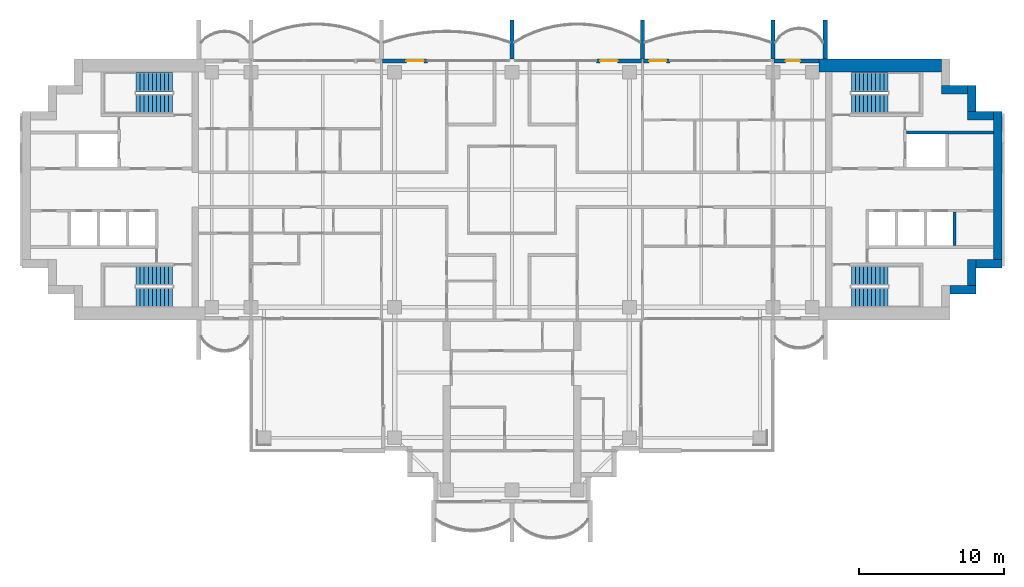
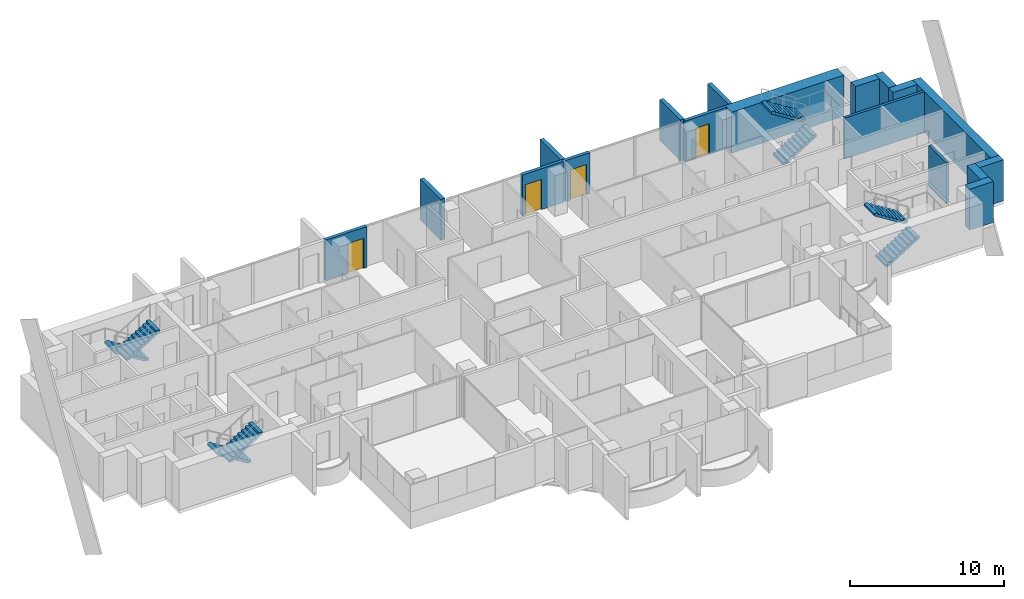
# One storey, part 13 of 17: 18 walls, 8 stair flights, 4 doors, 4 openings, 4 elements without a shape of their own.
"""IFC4 building model written with IfcOpenShell, lengths in metres."""

from ifc_helpers import new_model, si_unit, direction, frame, frame_2d, origin, place, context, subcontext, project, spatial, polyline, rectangle, outline, extrude, material, layer, layer_set, type_object, element, fill, aggregate, save


model = new_model("IFC4")

# Units and contexts
model_context = context("Model", 3, precision=1e-05, world=origin(), true_north=direction((0.0, 1.0)))
body_context = subcontext(model_context, "Body", "Model", "MODEL_VIEW")
ifc_project = project(units=[si_unit("LENGTHUNIT", "METRE"), si_unit("AREAUNIT", "SQUARE_METRE"), si_unit("VOLUMEUNIT", "CUBIC_METRE"), si_unit("PLANEANGLEUNIT", "RADIAN"), si_unit("MASSUNIT", "GRAM", prefix="KILO")], contexts=[model_context])

# Site, building, storey
site_placement = place(None, origin())
site = spatial("IfcSite", under=ifc_project, at=site_placement, CompositionType="ELEMENT")
building_placement = place(site_placement, origin())
building = spatial("IfcBuilding", under=site, at=building_placement, Name="Perihelion Cross Residences", CompositionType="ELEMENT")
storey_placement = place(building_placement, frame((0.0, 0.0, 205.10009765625)))
storey = spatial("IfcBuildingStorey", under=building, at=storey_placement, Name="L51", CompositionType="ELEMENT", Elevation=205.10009765625)

# Wall, opening, door
ifc_material_1 = material(Name="Concrete C30/37, bronze-clad", Category="concrete")
ifc_layer_1 = layer(ifc_material_1, 0.25)
ifc_layer_set_1 = layer_set([ifc_layer_1], Name="Bronze-clad pier wall 250")
wall_type_1 = type_object("IfcWallType", Name="Bronze-clad pier wall 250", PredefinedType="SOLIDWALL", material=ifc_layer_set_1)
wall_1_placement = place(storey_placement, frame((21.175048828125, 8.875, 0.0), z_axis=(0.0, 0.0, 1.0), x_axis=(-1.0, 0.0, 0.0)))
wall_1 = element("IfcWall", 1, at=wall_1_placement, inside=storey, type_object=wall_type_1, Name="Wall FW1 L51 east side north bay 1 pier", PredefinedType="SOLIDWALL", context=body_context, shape_type="SweptSolid", body=[
    extrude(rectangle(XDim=3.114990234375, YDim=0.25, at=frame_2d((1.5576171875, 0.0))), origin(), (0.0, 0.0, 1.0), 3.25),
])
opening_1_placement = place(wall_1_placement, frame((1.300048828125, 0.0, 0.0)))
opening_1 = element("IfcOpeningElement", 2, at=opening_1_placement, cuts=wall_1, Name="Opening L51.E01", PredefinedType="OPENING", context=body_context, shape_type="SweptSolid", body=[
    extrude(rectangle(XDim=1.0, YDim=2.39990234375, at=frame_2d((0.5, 1.199951171875))), frame((0.0, 0.135009765625, 0.0), z_axis=(0.0, -1.0, 0.0), x_axis=(1.0, 0.0, 0.0)), (0.0, 0.0, 1.0), 0.27001953125),
])
ifc_material_2 = material(Name="Bronze anodised aluminium, glazed", Category="aluminium")
door_type_1 = type_object("IfcDoorType", Name="Balcony door 1000 x 2400", OperationType="NOTDEFINED", PredefinedType="DOOR", material=ifc_material_2)
door_1_placement = place(opening_1_placement, origin())
door_1 = element("IfcDoor", 3, at=door_1_placement, inside=storey, type_object=door_type_1, Name="Door L51.E01 east side north bay 1", OperationType="SINGLE_SWING_LEFT", OverallHeight=2.39990234375, OverallWidth=1.0, PredefinedType="DOOR", context=body_context, shape_type="SweptSolid", body=[
    extrude(rectangle(XDim=1.0, YDim=2.39990234375, at=frame_2d((0.5, 1.199951171875))), frame((0.0, 0.02490234375, 0.0), z_axis=(0.0, -1.0, 0.0), x_axis=(1.0, 0.0, 0.0)), (0.0, 0.0, 1.0), 0.050048828125),
])
fill(opening_1, door_1)

wall_2_placement = place(storey_placement, frame((10.89990234375, 8.875, 0.0), z_axis=(0.0, 0.0, 1.0), x_axis=(-1.0, 0.0, 0.0)))
wall_2 = element("IfcWall", 4, at=wall_2_placement, inside=storey, type_object=wall_type_1, Name="Wall FW1 L51 east side north bay 2 pier", PredefinedType="SOLIDWALL", context=body_context, shape_type="SweptSolid", body=[
    extrude(rectangle(XDim=1.83984375, YDim=0.25, at=frame_2d((0.919921875, 0.0))), origin(), (0.0, 0.0, 1.0), 3.25),
])
opening_2_placement = place(wall_2_placement, frame((0.25, 0.0, 0.0)))
opening_2 = element("IfcOpeningElement", 5, at=opening_2_placement, cuts=wall_2, Name="Opening L51.E02", PredefinedType="OPENING", context=body_context, shape_type="SweptSolid", body=[
    extrude(rectangle(XDim=1.199951171875, YDim=2.39990234375, at=frame_2d((0.60009765625, 1.199951171875))), frame((0.0, 0.135009765625, 0.0), z_axis=(0.0, -1.0, 0.0), x_axis=(1.0, 0.0, 0.0)), (0.0, 0.0, 1.0), 0.27001953125),
])
ifc_material_3 = material(Name="Bronze anodised aluminium, glazed", Category="aluminium")
door_type_2 = type_object("IfcDoorType", Name="Balcony door 1200 x 2400", OperationType="NOTDEFINED", PredefinedType="DOOR", material=ifc_material_3)
door_2_placement = place(opening_2_placement, origin())
door_2 = element("IfcDoor", 6, at=door_2_placement, inside=storey, type_object=door_type_2, Name="Door L51.E02 east side north bay 2", OperationType="SINGLE_SWING_RIGHT", OverallHeight=2.39990234375, OverallWidth=1.199951171875, PredefinedType="DOOR", context=body_context, shape_type="SweptSolid", body=[
    extrude(rectangle(XDim=1.199951171875, YDim=2.39990234375, at=frame_2d((0.60009765625, 1.199951171875))), frame((0.0, 0.02490234375, 0.0), z_axis=(0.0, -1.0, 0.0), x_axis=(1.0, 0.0, 0.0)), (0.0, 0.0, 1.0), 0.050048828125),
])
fill(opening_2, door_2)

wall_3_placement = place(storey_placement, frame((8.93994140625, 8.875, 0.0), z_axis=(0.0, 0.0, 1.0), x_axis=(-1.0, 0.0, 0.0)))
wall_3 = element("IfcWall", 7, at=wall_3_placement, inside=storey, type_object=wall_type_1, Name="Wall FW1 L51 north side east bay 1 pier", PredefinedType="SOLIDWALL", context=body_context, shape_type="SweptSolid", body=[
    extrude(rectangle(XDim=3.114990234375, YDim=0.25, at=frame_2d((1.5576171875, 0.0))), origin(), (0.0, 0.0, 1.0), 3.25),
])
opening_3_placement = place(wall_3_placement, frame((1.6650390625, 0.0, 0.0)))
opening_3 = element("IfcOpeningElement", 8, at=opening_3_placement, cuts=wall_3, Name="Opening L51.E03", PredefinedType="OPENING", context=body_context, shape_type="SweptSolid", body=[
    extrude(rectangle(XDim=1.199951171875, YDim=2.39990234375, at=frame_2d((0.60009765625, 1.199951171875))), frame((0.0, 0.135009765625, 0.0), z_axis=(0.0, -1.0, 0.0), x_axis=(1.0, 0.0, 0.0)), (0.0, 0.0, 1.0), 0.27001953125),
])
door_3_placement = place(opening_3_placement, origin())
door_3 = element("IfcDoor", 9, at=door_3_placement, inside=storey, type_object=door_type_2, Name="Door L51.E03 north side east bay 1", OperationType="SINGLE_SWING_LEFT", OverallHeight=2.39990234375, OverallWidth=1.199951171875, PredefinedType="DOOR", context=body_context, shape_type="SweptSolid", body=[
    extrude(rectangle(XDim=1.199951171875, YDim=2.39990234375, at=frame_2d((0.60009765625, 1.199951171875))), frame((0.0, 0.02490234375, 0.0), z_axis=(0.0, -1.0, 0.0), x_axis=(1.0, 0.0, 0.0)), (0.0, 0.0, 1.0), 0.050048828125),
])
fill(opening_3, door_3)

wall_4_placement = place(storey_placement, frame((-5.824951171875, 8.875, 0.0), z_axis=(0.0, 0.0, 1.0), x_axis=(-1.0, 0.0, 0.0)))
wall_4 = element("IfcWall", 10, at=wall_4_placement, inside=storey, type_object=wall_type_1, Name="Wall FW1 L51 north side east bay 2 pier", PredefinedType="SOLIDWALL", context=body_context, shape_type="SweptSolid", body=[
    extrude(rectangle(XDim=3.114990234375, YDim=0.25, at=frame_2d((1.5576171875, 0.0))), origin(), (0.0, 0.0, 1.0), 3.25),
])
opening_4_placement = place(wall_4_placement, frame((0.25, 0.0, 0.0)))
opening_4 = element("IfcOpeningElement", 11, at=opening_4_placement, cuts=wall_4, Name="Opening L51.E04", PredefinedType="OPENING", context=body_context, shape_type="SweptSolid", body=[
    extrude(rectangle(XDim=1.199951171875, YDim=2.39990234375, at=frame_2d((0.60009765625, 1.199951171875))), frame((0.0, 0.135009765625, 0.0), z_axis=(0.0, -1.0, 0.0), x_axis=(1.0, 0.0, 0.0)), (0.0, 0.0, 1.0), 0.27001953125),
])
door_4_placement = place(opening_4_placement, origin())
door_4 = element("IfcDoor", 12, at=door_4_placement, inside=storey, type_object=door_type_2, Name="Door L51.E04 north side east bay 2", OperationType="SINGLE_SWING_RIGHT", OverallHeight=2.39990234375, OverallWidth=1.199951171875, PredefinedType="DOOR", context=body_context, shape_type="SweptSolid", body=[
    extrude(rectangle(XDim=1.199951171875, YDim=2.39990234375, at=frame_2d((0.60009765625, 1.199951171875))), frame((0.0, 0.02490234375, 0.0), z_axis=(0.0, -1.0, 0.0), x_axis=(1.0, 0.0, 0.0)), (0.0, 0.0, 1.0), 0.050048828125),
])
fill(opening_4, door_4)

# Walls
ifc_material_4 = material(Name="Concrete C60/75", Category="concrete")
ifc_layer_2 = layer(ifc_material_4, 0.60009765625)
ifc_layer_set_2 = layer_set([ifc_layer_2], Name="Core wall, outer 600")
wall_type_2 = type_object("IfcWallType", Name="Core wall, outer 600", PredefinedType="SHEAR", material=ifc_layer_set_2)
for number, where, z_axis, x_axis, name in (
    (13, (30.199951171875, -6.89990234375, 0.0), (0.0, 0.0, 1.0), (1.0, 0.0, 0.0), "East core core wall, outer"),
    (14, (31.699951171875, -6.60009765625, 0.0), (0.0, 0.0, 1.0), (0.0, 1.0, 0.0), "East core core wall, outer"),
    (15, (32.0, -5.10009765625, 0.0), (0.0, 0.0, 1.0), (1.0, 0.0, 0.0), "East core core wall, outer"),
):
    element("IfcWall", number, at=place(storey_placement, frame(where, z_axis=z_axis, x_axis=x_axis)), inside=storey, type_object=wall_type_2, Name=name, PredefinedType="SHEAR", context=body_context, shape_type="SweptSolid", body=[
        extrude(rectangle(XDim=1.800048828125, YDim=0.60009765625, at=frame_2d((0.89990234375, 0.0))), origin(), (0.0, 0.0, 1.0), 3.25),
    ])
wall_5_placement = place(storey_placement, frame((33.5, -4.800048828125, 0.0), z_axis=(0.0, 0.0, 1.0), x_axis=(0.0, 1.0, 0.0)))
element("IfcWall", 16, at=wall_5_placement, inside=storey, type_object=wall_type_2, Name="East core core wall, outer", PredefinedType="SHEAR", context=body_context, shape_type="SweptSolid", body=[
    extrude(rectangle(XDim=10.199951171875, YDim=0.60009765625, at=frame_2d((5.10009765625, 0.0))), origin(), (0.0, 0.0, 1.0), 3.25),
])
for number, where, z_axis, x_axis, name in (
    (17, (31.39990234375, 5.10009765625, 0.0), (0.0, 0.0, 1.0), (1.0, 0.0, 0.0), "East core core wall, outer"),
    (18, (31.699951171875, 5.39990234375, 0.0), (0.0, 0.0, 1.0), (0.0, 1.0, 0.0), "East core core wall, outer"),
):
    element("IfcWall", number, at=place(storey_placement, frame(where, z_axis=z_axis, x_axis=x_axis)), inside=storey, type_object=wall_type_2, Name=name, PredefinedType="SHEAR", context=body_context, shape_type="SweptSolid", body=[
        extrude(rectangle(XDim=1.800048828125, YDim=0.60009765625, at=frame_2d((0.89990234375, 0.0))), origin(), (0.0, 0.0, 1.0), 3.25),
    ])
wall_6_placement = place(storey_placement, frame((29.60009765625, 6.89990234375, 0.0), z_axis=(0.0, 0.0, 1.0), x_axis=(1.0, 0.0, 0.0)))
element("IfcWall", 19, at=wall_6_placement, inside=storey, type_object=wall_type_2, Name="East core core wall, outer", PredefinedType="SHEAR", context=body_context, shape_type="SweptSolid", body=[
    extrude(rectangle(XDim=1.7998046875, YDim=0.60009765625, at=frame_2d((0.89990234375, 0.0))), origin(), (0.0, 0.0, 1.0), 3.25),
])
ifc_material_5 = material(Name="Concrete C60/75", Category="concrete")
ifc_layer_3 = layer(ifc_material_5, 0.89990234375)
ifc_layer_set_3 = layer_set([ifc_layer_3], Name="Core wall, outer 900")
wall_type_3 = type_object("IfcWallType", Name="Core wall, outer 900", PredefinedType="SHEAR", material=ifc_layer_set_3)
wall_7_placement = place(storey_placement, frame((21.175048828125, 8.550048828125, 0.0), z_axis=(0.0, 0.0, 1.0), x_axis=(1.0, 0.0, 0.0)))
element("IfcWall", 20, at=wall_7_placement, inside=storey, type_object=wall_type_3, Name="East core core wall, outer", PredefinedType="SHEAR", context=body_context, shape_type="SweptSolid", body=[
    extrude(rectangle(XDim=8.425048828125, YDim=0.89990234375, at=frame_2d((4.21240234375, 0.0))), origin(), (0.0, 0.0, 1.0), 3.25),
])
ifc_material_6 = material(Name="Precast concrete C50/60", Category="concrete")
ifc_layer_4 = layer(ifc_material_6, 0.300048828125)
ifc_layer_set_4 = layer_set([ifc_layer_4], Name="Precast concrete C50/60 blade wall 300")
wall_type_4 = type_object("IfcWallType", Name="Precast concrete C50/60 blade wall 300", PredefinedType="SOLIDWALL", material=ifc_layer_set_4)
for number, where, z_axis, x_axis, name in (
    (21, (0.0, 9.0, 0.0), (0.0, 0.0, 1.0), (0.0, 1.0, 0.0), "Wall BL1 L51 no. 9"),
    (22, (9.0, 9.0, 0.0), (0.0, 0.0, 1.0), (0.0, 1.0, 0.0), "Wall BL1 L51 no. 16"),
    (23, (18.0, 9.0, 0.0), (0.0, 0.0, 1.0), (0.0, 1.0, 0.0), "Wall BL1 L51 no. 11"),
    (24, (21.60009765625, 9.0, 0.0), (0.0, 0.0, 1.0), (0.0, 1.0, 0.0), "Wall BL1 L51 no. 13"),
):
    element("IfcWall", number, at=place(storey_placement, frame(where, z_axis=z_axis, x_axis=x_axis)), inside=storey, type_object=wall_type_4, Name=name, PredefinedType="SOLIDWALL", context=body_context, shape_type="SweptSolid", body=[
        extrude(rectangle(XDim=2.699951171875, YDim=0.300048828125, at=frame_2d((1.35009765625, 0.0))), origin(), (0.0, 0.0, 1.0), 3.25),
    ])
ifc_material_7 = material(Name="Concrete C50/60", Category="concrete")
ifc_layer_5 = layer(ifc_material_7, 0.199951171875)
ifc_layer_set_5 = layer_set([ifc_layer_5], Name="Shaft wall 200")
wall_type_5 = type_object("IfcWallType", Name="Shaft wall 200", PredefinedType="SOLIDWALL", material=ifc_layer_set_5)
wall_8_placement = place(storey_placement, frame((27.199951171875, 3.949951171875, 0.0), z_axis=(0.0, 0.0, 1.0), x_axis=(1.0, 0.0, 0.0)))
element("IfcWall", 25, at=wall_8_placement, inside=storey, type_object=wall_type_5, Name="East core shaft wall", PredefinedType="SOLIDWALL", context=body_context, shape_type="SweptSolid", body=[
    extrude(rectangle(XDim=6.0, YDim=0.199951171875, at=frame_2d((3.0, 0.0))), origin(), (0.0, 0.0, 1.0), 3.25),
])
wall_9_placement = place(storey_placement, frame((30.5, -3.85009765625, 0.0), z_axis=(0.0, 0.0, 1.0), x_axis=(0.0, 1.0, 0.0)))
element("IfcWall", 26, at=wall_9_placement, inside=storey, type_object=wall_type_5, Name="East core shaft wall", PredefinedType="SOLIDWALL", context=body_context, shape_type="SweptSolid", body=[
    extrude(rectangle(XDim=2.300048828125, YDim=0.199951171875, at=frame_2d((1.14990234375, 0.0))), origin(), (0.0, 0.0, 1.0), 3.25),
])

# Stair, stair flights
ifc_material_8 = material(Name="Concrete C40/50", Category="concrete")
stair_type = type_object("IfcStairType", Name="Exit stair, half-turn", PredefinedType="HALF_TURN_STAIR", material=ifc_material_8)
stair_1_placement = place(storey_placement, origin())
stair_1 = element("IfcStair", 27, at=stair_1_placement, inside=storey, type_object=stair_type, Name="L51 East core exit stair 1", PredefinedType="HALF_TURN_STAIR")
ifc_material_9 = material(Name="Concrete C40/50", Category="concrete")
stair_flight_type = type_object("IfcStairFlightType", Name="Exit stair flight", PredefinedType="STRAIGHT", material=ifc_material_9)
stair_flight_1_placement = place(storey_placement, frame((23.39990234375, 5.925048828125, 0.0), z_axis=(0.0, 0.0, 1.0), x_axis=(1.0, 0.0, 0.0)))
stair_flight_1 = element("IfcStairFlight", 28, at=stair_flight_1_placement, type_object=stair_flight_type, Name="ST-E1 flight 1", NumberOfRisers=10, NumberOfTreads=9, PredefinedType="STRAIGHT", RiserHeight=0.175, TreadLength=0.28, context=body_context, shape_type="SweptSolid", body=[
    extrude(outline(polyline([(0.0, 0.0), (0.0, 0.175048828125), (0.280029296875, 0.175048828125), (0.280029296875, 0.35009765625), (0.56005859375, 0.35009765625), (0.56005859375, 0.52490234375), (0.840087890625, 0.52490234375), (0.840087890625, 0.699951171875), (1.1201171875, 0.699951171875), (1.1201171875, 0.875), (1.39990234375, 0.875), (1.39990234375, 1.050048828125), (1.679931640625, 1.050048828125), (1.679931640625, 1.22509765625), (1.9599609375, 1.22509765625), (1.9599609375, 1.39990234375), (2.239990234375, 1.39990234375), (2.239990234375, 1.574951171875), (2.52001953125, 1.574951171875), (2.52001953125, 1.75), (2.52001953125, 1.398193359375), (0.28271484375, 0.0), (0.0, 0.0)])), frame((0.0, 0.675048828125, 0.0), z_axis=(0.0, -1.0, 0.0), x_axis=(1.0, 0.0, 0.0)), (0.0, 0.0, 1.0), 1.35009765625),
])
stair_flight_2_placement = place(storey_placement, frame((25.919921875, 7.425048828125, 1.75), z_axis=(0.0, 0.0, 1.0), x_axis=(-1.0, 0.0, 0.0)))
stair_flight_2 = element("IfcStairFlight", 29, at=stair_flight_2_placement, type_object=stair_flight_type, Name="ST-E1 flight 2", NumberOfRisers=10, NumberOfTreads=9, PredefinedType="STRAIGHT", RiserHeight=0.175, TreadLength=0.28, context=body_context, shape_type="SweptSolid", body=[
    extrude(outline(polyline([(0.0, 0.0), (0.0, 0.175048828125), (0.280029296875, 0.175048828125), (0.280029296875, 0.35009765625), (0.56005859375, 0.35009765625), (0.56005859375, 0.52490234375), (0.840087890625, 0.52490234375), (0.840087890625, 0.699951171875), (1.1201171875, 0.699951171875), (1.1201171875, 0.875), (1.39990234375, 0.875), (1.39990234375, 1.050048828125), (1.679931640625, 1.050048828125), (1.679931640625, 1.22509765625), (1.9599609375, 1.22509765625), (1.9599609375, 1.39990234375), (2.239990234375, 1.39990234375), (2.239990234375, 1.574951171875), (2.52001953125, 1.574951171875), (2.52001953125, 1.75), (2.52001953125, 1.398193359375), (0.28271484375, 0.0), (0.0, 0.0)])), frame((0.0, 0.675048828125, 0.0), z_axis=(0.0, -1.0, 0.0), x_axis=(1.0, 0.0, 0.0)), (0.0, 0.0, 1.0), 1.35009765625),
])
aggregate(stair_1, [stair_flight_1, stair_flight_2])

stair_2_placement = place(storey_placement, origin())
stair_2 = element("IfcStair", 30, at=stair_2_placement, inside=storey, type_object=stair_type, Name="L51 East core exit stair 2", PredefinedType="HALF_TURN_STAIR")
stair_flight_3_placement = place(storey_placement, frame((23.39990234375, -7.425048828125, 0.0), z_axis=(0.0, 0.0, 1.0), x_axis=(1.0, 0.0, 0.0)))
stair_flight_3 = element("IfcStairFlight", 31, at=stair_flight_3_placement, type_object=stair_flight_type, Name="ST-E2 flight 1", NumberOfRisers=10, NumberOfTreads=9, PredefinedType="STRAIGHT", RiserHeight=0.175, TreadLength=0.28, context=body_context, shape_type="SweptSolid", body=[
    extrude(outline(polyline([(0.0, 0.0), (0.0, 0.175048828125), (0.280029296875, 0.175048828125), (0.280029296875, 0.35009765625), (0.56005859375, 0.35009765625), (0.56005859375, 0.52490234375), (0.840087890625, 0.52490234375), (0.840087890625, 0.699951171875), (1.1201171875, 0.699951171875), (1.1201171875, 0.875), (1.39990234375, 0.875), (1.39990234375, 1.050048828125), (1.679931640625, 1.050048828125), (1.679931640625, 1.22509765625), (1.9599609375, 1.22509765625), (1.9599609375, 1.39990234375), (2.239990234375, 1.39990234375), (2.239990234375, 1.574951171875), (2.52001953125, 1.574951171875), (2.52001953125, 1.75), (2.52001953125, 1.398193359375), (0.28271484375, 0.0), (0.0, 0.0)])), frame((0.0, 0.675048828125, 0.0), z_axis=(0.0, -1.0, 0.0), x_axis=(1.0, 0.0, 0.0)), (0.0, 0.0, 1.0), 1.35009765625),
])
stair_flight_4_placement = place(storey_placement, frame((25.919921875, -5.925048828125, 1.75), z_axis=(0.0, 0.0, 1.0), x_axis=(-1.0, 0.0, 0.0)))
stair_flight_4 = element("IfcStairFlight", 32, at=stair_flight_4_placement, type_object=stair_flight_type, Name="ST-E2 flight 2", NumberOfRisers=10, NumberOfTreads=9, PredefinedType="STRAIGHT", RiserHeight=0.175, TreadLength=0.28, context=body_context, shape_type="SweptSolid", body=[
    extrude(outline(polyline([(0.0, 0.0), (0.0, 0.175048828125), (0.280029296875, 0.175048828125), (0.280029296875, 0.35009765625), (0.56005859375, 0.35009765625), (0.56005859375, 0.52490234375), (0.840087890625, 0.52490234375), (0.840087890625, 0.699951171875), (1.1201171875, 0.699951171875), (1.1201171875, 0.875), (1.39990234375, 0.875), (1.39990234375, 1.050048828125), (1.679931640625, 1.050048828125), (1.679931640625, 1.22509765625), (1.9599609375, 1.22509765625), (1.9599609375, 1.39990234375), (2.239990234375, 1.39990234375), (2.239990234375, 1.574951171875), (2.52001953125, 1.574951171875), (2.52001953125, 1.75), (2.52001953125, 1.398193359375), (0.28271484375, 0.0), (0.0, 0.0)])), frame((0.0, 0.675048828125, 0.0), z_axis=(0.0, -1.0, 0.0), x_axis=(1.0, 0.0, 0.0)), (0.0, 0.0, 1.0), 1.35009765625),
])
aggregate(stair_2, [stair_flight_3, stair_flight_4])

stair_3_placement = place(storey_placement, origin())
stair_3 = element("IfcStair", 33, at=stair_3_placement, inside=storey, type_object=stair_type, Name="L51 West core exit stair 1", PredefinedType="HALF_TURN_STAIR")
stair_flight_5_placement = place(storey_placement, frame((-23.39990234375, 7.425048828125, 0.0), z_axis=(0.0, 0.0, 1.0), x_axis=(-1.0, 0.0, 0.0)))
stair_flight_5 = element("IfcStairFlight", 34, at=stair_flight_5_placement, type_object=stair_flight_type, Name="ST-W1 flight 1", NumberOfRisers=10, NumberOfTreads=9, PredefinedType="STRAIGHT", RiserHeight=0.175, TreadLength=0.28, context=body_context, shape_type="SweptSolid", body=[
    extrude(outline(polyline([(0.0, 0.0), (0.0, 0.175048828125), (0.280029296875, 0.175048828125), (0.280029296875, 0.35009765625), (0.56005859375, 0.35009765625), (0.56005859375, 0.52490234375), (0.840087890625, 0.52490234375), (0.840087890625, 0.699951171875), (1.1201171875, 0.699951171875), (1.1201171875, 0.875), (1.39990234375, 0.875), (1.39990234375, 1.050048828125), (1.679931640625, 1.050048828125), (1.679931640625, 1.22509765625), (1.9599609375, 1.22509765625), (1.9599609375, 1.39990234375), (2.239990234375, 1.39990234375), (2.239990234375, 1.574951171875), (2.52001953125, 1.574951171875), (2.52001953125, 1.75), (2.52001953125, 1.398193359375), (0.28271484375, 0.0), (0.0, 0.0)])), frame((0.0, 0.675048828125, 0.0), z_axis=(0.0, -1.0, 0.0), x_axis=(1.0, 0.0, 0.0)), (0.0, 0.0, 1.0), 1.35009765625),
])
stair_flight_6_placement = place(storey_placement, frame((-25.919921875, 5.925048828125, 1.75), z_axis=(0.0, 0.0, 1.0), x_axis=(1.0, 0.0, 0.0)))
stair_flight_6 = element("IfcStairFlight", 35, at=stair_flight_6_placement, type_object=stair_flight_type, Name="ST-W1 flight 2", NumberOfRisers=10, NumberOfTreads=9, PredefinedType="STRAIGHT", RiserHeight=0.175, TreadLength=0.28, context=body_context, shape_type="SweptSolid", body=[
    extrude(outline(polyline([(0.0, 0.0), (0.0, 0.175048828125), (0.280029296875, 0.175048828125), (0.280029296875, 0.35009765625), (0.56005859375, 0.35009765625), (0.56005859375, 0.52490234375), (0.840087890625, 0.52490234375), (0.840087890625, 0.699951171875), (1.1201171875, 0.699951171875), (1.1201171875, 0.875), (1.39990234375, 0.875), (1.39990234375, 1.050048828125), (1.679931640625, 1.050048828125), (1.679931640625, 1.22509765625), (1.9599609375, 1.22509765625), (1.9599609375, 1.39990234375), (2.239990234375, 1.39990234375), (2.239990234375, 1.574951171875), (2.52001953125, 1.574951171875), (2.52001953125, 1.75), (2.52001953125, 1.398193359375), (0.28271484375, 0.0), (0.0, 0.0)])), frame((0.0, 0.675048828125, 0.0), z_axis=(0.0, -1.0, 0.0), x_axis=(1.0, 0.0, 0.0)), (0.0, 0.0, 1.0), 1.35009765625),
])
aggregate(stair_3, [stair_flight_5, stair_flight_6])

stair_4_placement = place(storey_placement, origin())
stair_4 = element("IfcStair", 36, at=stair_4_placement, inside=storey, type_object=stair_type, Name="L51 West core exit stair 2", PredefinedType="HALF_TURN_STAIR")
stair_flight_7_placement = place(storey_placement, frame((-23.39990234375, -5.925048828125, 0.0), z_axis=(0.0, 0.0, 1.0), x_axis=(-1.0, 0.0, 0.0)))
stair_flight_7 = element("IfcStairFlight", 37, at=stair_flight_7_placement, type_object=stair_flight_type, Name="ST-W2 flight 1", NumberOfRisers=10, NumberOfTreads=9, PredefinedType="STRAIGHT", RiserHeight=0.175, TreadLength=0.28, context=body_context, shape_type="SweptSolid", body=[
    extrude(outline(polyline([(0.0, 0.0), (0.0, 0.175048828125), (0.280029296875, 0.175048828125), (0.280029296875, 0.35009765625), (0.56005859375, 0.35009765625), (0.56005859375, 0.52490234375), (0.840087890625, 0.52490234375), (0.840087890625, 0.699951171875), (1.1201171875, 0.699951171875), (1.1201171875, 0.875), (1.39990234375, 0.875), (1.39990234375, 1.050048828125), (1.679931640625, 1.050048828125), (1.679931640625, 1.22509765625), (1.9599609375, 1.22509765625), (1.9599609375, 1.39990234375), (2.239990234375, 1.39990234375), (2.239990234375, 1.574951171875), (2.52001953125, 1.574951171875), (2.52001953125, 1.75), (2.52001953125, 1.398193359375), (0.28271484375, 0.0), (0.0, 0.0)])), frame((0.0, 0.675048828125, 0.0), z_axis=(0.0, -1.0, 0.0), x_axis=(1.0, 0.0, 0.0)), (0.0, 0.0, 1.0), 1.35009765625),
])
stair_flight_8_placement = place(storey_placement, frame((-25.919921875, -7.425048828125, 1.75), z_axis=(0.0, 0.0, 1.0), x_axis=(1.0, 0.0, 0.0)))
stair_flight_8 = element("IfcStairFlight", 38, at=stair_flight_8_placement, type_object=stair_flight_type, Name="ST-W2 flight 2", NumberOfRisers=10, NumberOfTreads=9, PredefinedType="STRAIGHT", RiserHeight=0.175, TreadLength=0.28, context=body_context, shape_type="SweptSolid", body=[
    extrude(outline(polyline([(0.0, 0.0), (0.0, 0.175048828125), (0.280029296875, 0.175048828125), (0.280029296875, 0.35009765625), (0.56005859375, 0.35009765625), (0.56005859375, 0.52490234375), (0.840087890625, 0.52490234375), (0.840087890625, 0.699951171875), (1.1201171875, 0.699951171875), (1.1201171875, 0.875), (1.39990234375, 0.875), (1.39990234375, 1.050048828125), (1.679931640625, 1.050048828125), (1.679931640625, 1.22509765625), (1.9599609375, 1.22509765625), (1.9599609375, 1.39990234375), (2.239990234375, 1.39990234375), (2.239990234375, 1.574951171875), (2.52001953125, 1.574951171875), (2.52001953125, 1.75), (2.52001953125, 1.398193359375), (0.28271484375, 0.0), (0.0, 0.0)])), frame((0.0, 0.675048828125, 0.0), z_axis=(0.0, -1.0, 0.0), x_axis=(1.0, 0.0, 0.0)), (0.0, 0.0, 1.0), 1.35009765625),
])
aggregate(stair_4, [stair_flight_7, stair_flight_8])

save(model, "model.ifc")
